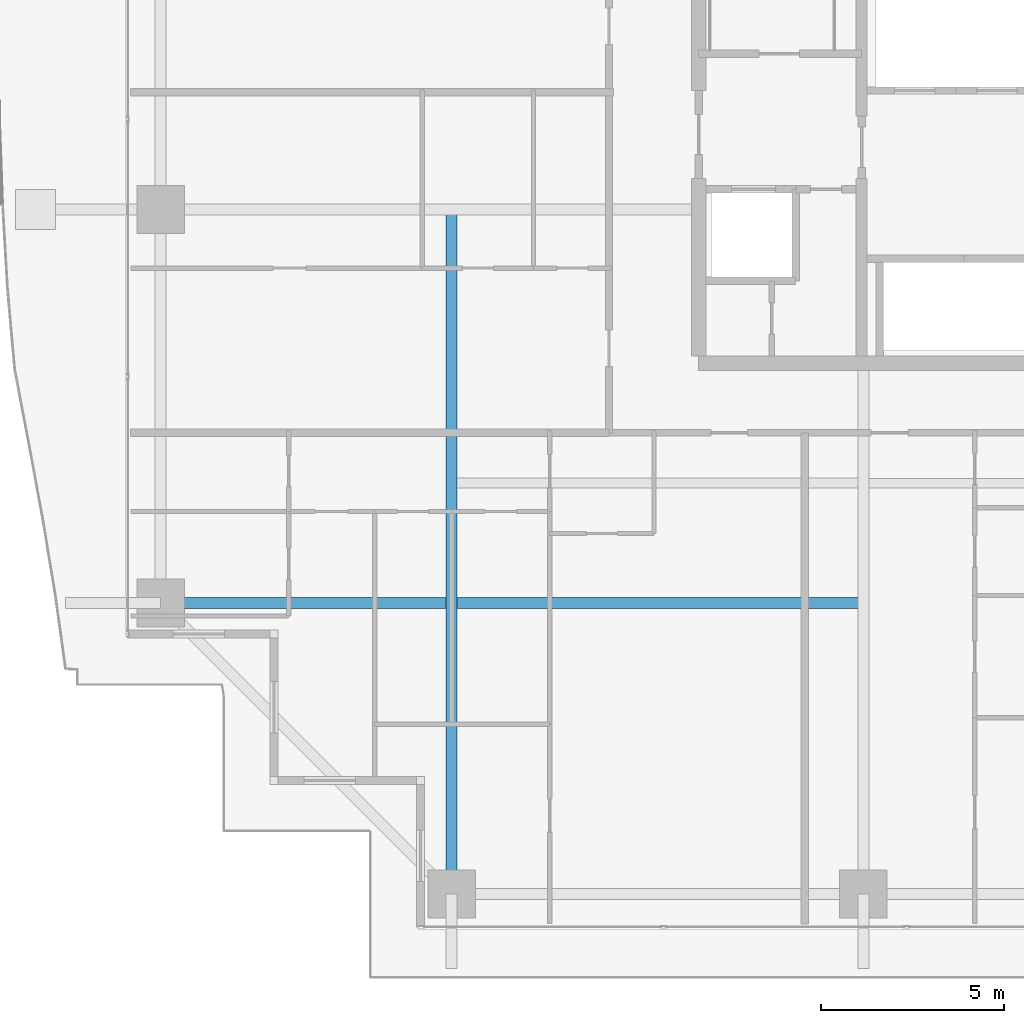
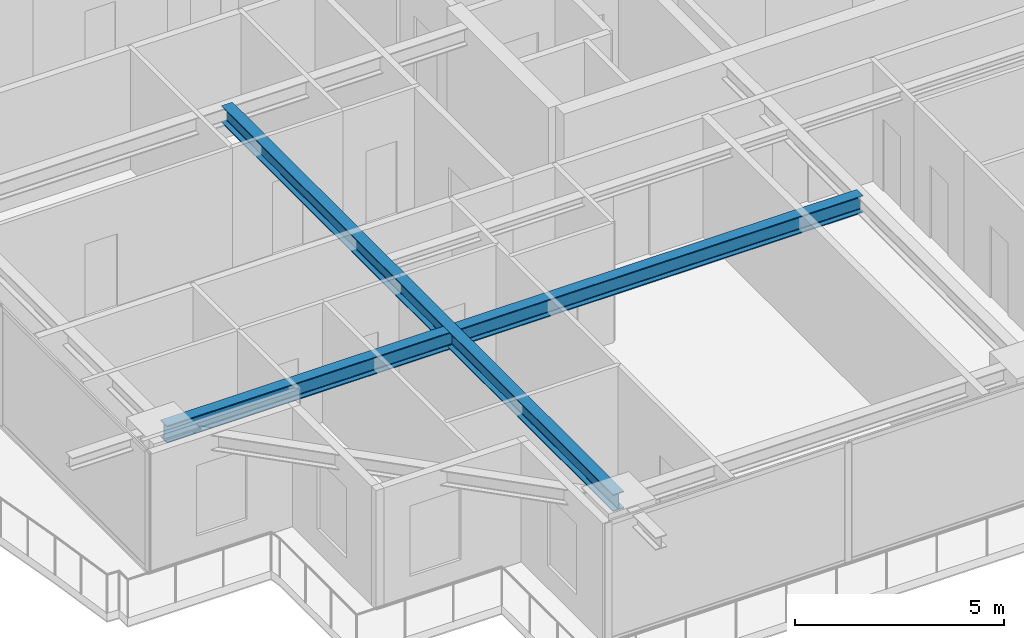
# One storey, part 4 of 38: 2 beams.
"""IFC4 building model written with IfcOpenShell, lengths in metres."""

from ifc_helpers import new_model, si_unit, direction, frame, origin, origin_2d, place, context, subcontext, project, spatial, i_section, extrude, source, transform, mapped, material, material_profile, profile_set, type_object, element, save


model = new_model("IFC4")

# Units and contexts
model_context = context("Model", 3, precision=1e-05, world=origin(), true_north=direction((0.0, 1.0)))
body_context = subcontext(model_context, "Body", "Model", "MODEL_VIEW")
ifc_project = project(units=[si_unit("LENGTHUNIT", "METRE"), si_unit("AREAUNIT", "SQUARE_METRE"), si_unit("VOLUMEUNIT", "CUBIC_METRE"), si_unit("PLANEANGLEUNIT", "RADIAN"), si_unit("MASSUNIT", "GRAM", prefix="KILO")], contexts=[model_context])

# Site, building, storey
site_placement = place(None, origin())
site = spatial("IfcSite", under=ifc_project, at=site_placement, CompositionType="ELEMENT")
building_placement = place(site_placement, origin())
building = spatial("IfcBuilding", under=site, at=building_placement, Name="Serunith Strait Residences", CompositionType="ELEMENT")
storey_placement = place(building_placement, frame((0.0, 0.0, 120.14990234375)))
storey = spatial("IfcBuildingStorey", under=building, at=storey_placement, Name="L29", CompositionType="ELEMENT", Elevation=120.14990234375)

# Beams
ifc_material = material(Name="Steel S355J2", Category="steel")
ifc_material_profile = material_profile(ifc_material, i_section(OverallWidth=0.300048828125, OverallDepth=0.5, WebThickness=0.014404296875, FlangeThickness=0.028076171875, FilletRadius=0.027099609375, at=origin_2d()), Name="HEB 500")
ifc_profile_set = profile_set([ifc_material_profile], Name="Steel S355J2")
beam_type = type_object("IfcBeamType", Name="BM-HEB500", PredefinedType="BEAM", material=ifc_profile_set)
shared_shape_1 = source(origin(), body_context, "Body", "SweptSolid", [
    extrude(i_section(OverallWidth=0.300048828125, OverallDepth=0.5, WebThickness=0.014404296875, FlangeThickness=0.028076171875, FilletRadius=0.027099609375, at=origin_2d()), origin(), (0.0, 0.0, 1.0), 18.699951171875),
])
beam_1_placement = place(storey_placement, frame((16.64990234375, 21.0, 3.237060546875), z_axis=(0.0, -1.0, 0.0), x_axis=(1.0, 0.0, 0.0)))
element("IfcBeam", 1, at=beam_1_placement, inside=storey, type_object=beam_type, Name="L29 Orthogonal Corner Girder TC-S1", PredefinedType="BEAM", context=body_context, shape_type="MappedRepresentation", body=[
    mapped(shared_shape_1, transform((0.0, 0.0, 0.0), scale=1.0)),
])
shared_shape_2 = source(origin(), body_context, "Body", "SweptSolid", [
    extrude(i_section(OverallWidth=0.300048828125, OverallDepth=0.5, WebThickness=0.014404296875, FlangeThickness=0.028076171875, FilletRadius=0.027099609375, at=origin_2d()), origin(), (0.0, 0.0, 1.0), 19.199951171875),
])
beam_2_placement = place(storey_placement, frame((27.89990234375, 10.25, 3.237060546875), z_axis=(-1.0, 0.0, 0.0), x_axis=(0.0, -1.0, 0.0)))
element("IfcBeam", 2, at=beam_2_placement, inside=storey, type_object=beam_type, Name="L29 Orthogonal Corner Girder TC-W1", PredefinedType="BEAM", context=body_context, shape_type="MappedRepresentation", body=[
    mapped(shared_shape_2, transform((0.0, 0.0, 0.0), scale=1.0)),
])

save(model, "model.ifc")
